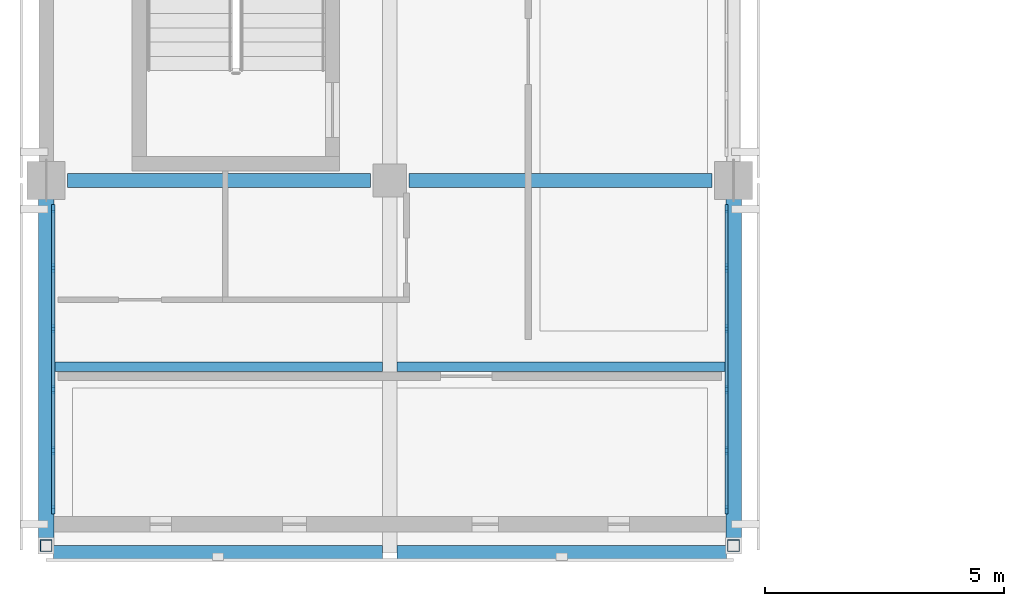
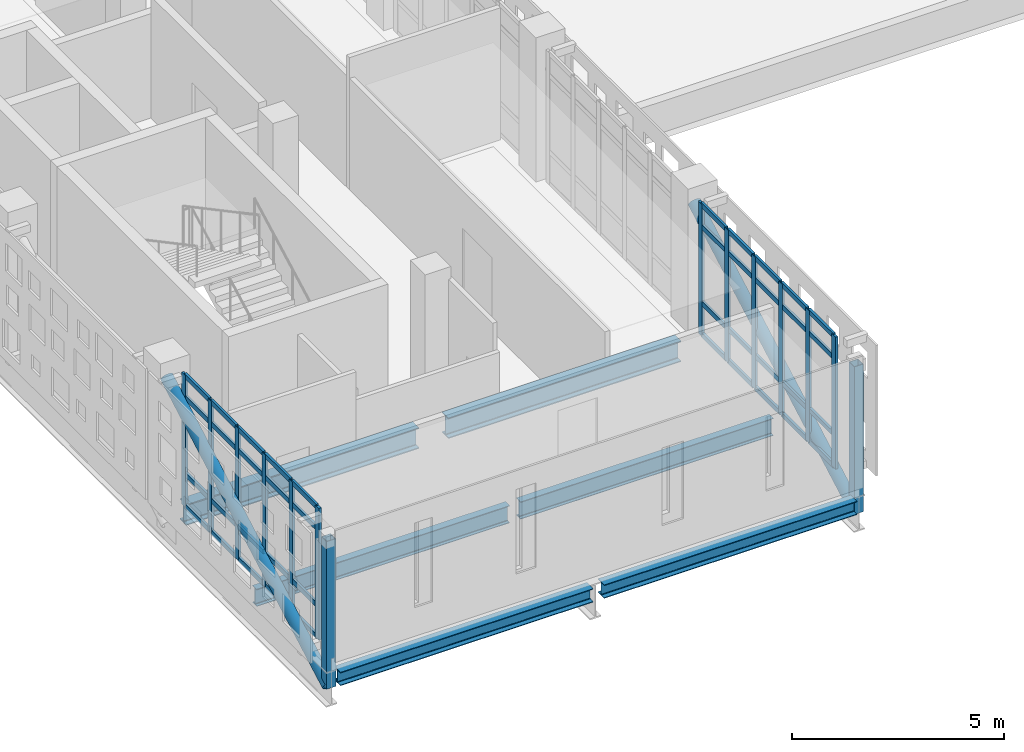
# One storey, part 2 of 51: 56 members, 6 beams, 2 elements without a shape of their own.
"""IFC4 building model written with IfcOpenShell, lengths in metres."""

from ifc_helpers import new_model, si_unit, direction, frame, origin, origin_2d, place, context, subcontext, project, spatial, rectangle, hollow_rectangle, hollow_circle, i_section, extrude, material, layer, layer_set, material_profile, profile_set, type_object, element, aggregate, save


model = new_model("IFC4")

# Units and contexts
model_context = context("Model", 3, precision=1e-05, world=origin(), true_north=direction((0.0, 1.0)))
body_context = subcontext(model_context, "Body", "Model", "MODEL_VIEW")
ifc_project = project(units=[si_unit("LENGTHUNIT", "METRE"), si_unit("AREAUNIT", "SQUARE_METRE"), si_unit("VOLUMEUNIT", "CUBIC_METRE"), si_unit("PLANEANGLEUNIT", "RADIAN"), si_unit("MASSUNIT", "GRAM", prefix="KILO")], contexts=[model_context])

# Site, building, storey
site_placement = place(None, origin())
site = spatial("IfcSite", under=ifc_project, at=site_placement, CompositionType="ELEMENT")
building_placement = place(site_placement, origin())
building = spatial("IfcBuilding", under=site, at=building_placement, Name="Valkovuoma Quantum and Materials Research Institute", CompositionType="ELEMENT")
storey_placement = place(building_placement, frame((0.0, 0.0, 17.280029296875)))
storey = spatial("IfcBuildingStorey", under=building, at=storey_placement, Name="L04", CompositionType="ELEMENT", Elevation=17.280029296875)

# Beams
ifc_material_1 = material(Name="Steel S355J2", Category="steel")
ifc_material_profile_1 = material_profile(ifc_material_1, i_section(OverallWidth=0.300048828125, OverallDepth=0.389892578125, WebThickness=0.010986328125, FlangeThickness=0.01904296875, FilletRadius=0.027099609375, at=origin_2d()), Name="Steel S355J2")
ifc_profile_set_1 = profile_set([ifc_material_profile_1], Name="Steel S355J2")
beam_type_1 = type_object("IfcBeamType", Name="Beam-B-HEA400", PredefinedType="SPANDREL", material=ifc_profile_set_1)
beam_1_placement = place(storey_placement, frame((0.14990234375, 21.0, -0.544921875), z_axis=(1.0, 0.0, 0.0), x_axis=(0.0, 1.0, 0.0)))
element("IfcBeam", 1, at=beam_1_placement, inside=storey, type_object=beam_type_1, Name="L04 cantilever tip beam 1", PredefinedType="SPANDREL", context=body_context, shape_type="SweptSolid", body=[
    extrude(i_section(OverallWidth=0.300048828125, OverallDepth=0.389892578125, WebThickness=0.010986328125, FlangeThickness=0.01904296875, FilletRadius=0.027099609375, at=origin_2d()), origin(), (0.0, 0.0, 1.0), 6.900146484375),
])
beam_2_placement = place(storey_placement, frame((7.35009765625, 21.0, -0.544921875), z_axis=(1.0, 0.0, 0.0), x_axis=(0.0, 1.0, 0.0)))
element("IfcBeam", 2, at=beam_2_placement, inside=storey, type_object=beam_type_1, Name="L04 cantilever tip beam 2", PredefinedType="SPANDREL", context=body_context, shape_type="SweptSolid", body=[
    extrude(i_section(OverallWidth=0.300048828125, OverallDepth=0.389892578125, WebThickness=0.010986328125, FlangeThickness=0.01904296875, FilletRadius=0.027099609375, at=origin_2d()), origin(), (0.0, 0.0, 1.0), 6.89990234375),
])
ifc_material_2 = material(Name="Steel S355J2", Category="steel")
ifc_material_profile_2 = material_profile(ifc_material_2, i_section(OverallWidth=0.300048828125, OverallDepth=0.60009765625, WebThickness=0.015380859375, FlangeThickness=0.030029296875, FilletRadius=0.027099609375, at=origin_2d()), Name="Steel S355J2")
ifc_profile_set_2 = profile_set([ifc_material_profile_2], Name="Steel S355J2")
beam_type_2 = type_object("IfcBeamType", Name="Beam-B-HEB600", PredefinedType="BEAM", material=ifc_profile_set_2)
beam_3_placement = place(storey_placement, frame((0.449951171875, 28.800048828125, -0.650146484375), z_axis=(1.0, 0.0, 0.0), x_axis=(0.0, 1.0, 0.0)))
element("IfcBeam", 3, at=beam_3_placement, inside=storey, type_object=beam_type_2, Name="L04 beam X-1814", PredefinedType="BEAM", context=body_context, shape_type="SweptSolid", body=[
    extrude(i_section(OverallWidth=0.300048828125, OverallDepth=0.60009765625, WebThickness=0.015380859375, FlangeThickness=0.030029296875, FilletRadius=0.027099609375, at=origin_2d()), origin(), (0.0, 0.0, 1.0), 6.35009765625),
])
beam_4_placement = place(storey_placement, frame((7.60009765625, 28.800048828125, -0.650146484375), z_axis=(1.0, 0.0, 0.0), x_axis=(0.0, 1.0, 0.0)))
element("IfcBeam", 4, at=beam_4_placement, inside=storey, type_object=beam_type_2, Name="L04 beam X-1815", PredefinedType="BEAM", context=body_context, shape_type="SweptSolid", body=[
    extrude(i_section(OverallWidth=0.300048828125, OverallDepth=0.60009765625, WebThickness=0.015380859375, FlangeThickness=0.030029296875, FilletRadius=0.027099609375, at=origin_2d()), origin(), (0.0, 0.0, 1.0), 6.349853515625),
])
ifc_material_3 = material(Name="Steel S355J2", Category="steel")
ifc_material_profile_3 = material_profile(ifc_material_3, i_section(OverallWidth=0.199951171875, OverallDepth=0.5, WebThickness=0.01025390625, FlangeThickness=0.01611328125, FilletRadius=0.02099609375, at=origin_2d()), Name="Steel S355J2")
ifc_profile_set_3 = profile_set([ifc_material_profile_3], Name="Steel S355J2")
beam_type_3 = type_object("IfcBeamType", Name="Beam-B-IPE500", PredefinedType="BEAM", material=ifc_profile_set_3)
beam_5_placement = place(storey_placement, frame((0.14990234375, 24.89990234375, -0.60009765625), z_axis=(1.0, 0.0, 0.0), x_axis=(0.0, 1.0, 0.0)))
element("IfcBeam", 5, at=beam_5_placement, inside=storey, type_object=beam_type_3, Name="L04 cantilever mid beam 1", PredefinedType="BEAM", context=body_context, shape_type="SweptSolid", body=[
    extrude(i_section(OverallWidth=0.199951171875, OverallDepth=0.5, WebThickness=0.01025390625, FlangeThickness=0.01611328125, FilletRadius=0.02099609375, at=origin_2d()), origin(), (0.0, 0.0, 1.0), 6.900146484375),
])
beam_6_placement = place(storey_placement, frame((7.35009765625, 24.89990234375, -0.60009765625), z_axis=(1.0, 0.0, 0.0), x_axis=(0.0, 1.0, 0.0)))
element("IfcBeam", 6, at=beam_6_placement, inside=storey, type_object=beam_type_3, Name="L04 cantilever mid beam 2", PredefinedType="BEAM", context=body_context, shape_type="SweptSolid", body=[
    extrude(i_section(OverallWidth=0.199951171875, OverallDepth=0.5, WebThickness=0.01025390625, FlangeThickness=0.01611328125, FilletRadius=0.02099609375, at=origin_2d()), origin(), (0.0, 0.0, 1.0), 6.89990234375),
])

# Curtain wall, members
ifc_material_4 = material(Name="Thermally broken aluminium and triple low-E glazing", Category="aluminium")
ifc_layer = layer(ifc_material_4, 0.219970703125)
ifc_layer_set = layer_set([ifc_layer], Name="Thermally broken aluminium and triple low-E glazing")
curtain_wall_type = type_object("IfcCurtainWallType", Name="CW-CW-01", PredefinedType="NOTDEFINED", material=ifc_layer_set)
curtain_wall_1_placement = place(storey_placement, origin())
curtain_wall_1 = element("IfcCurtainWall", 7, at=curtain_wall_1_placement, inside=storey, type_object=curtain_wall_type, Name="L04 curtain wall 038", PredefinedType="NOTDEFINED")
ifc_material_5 = material(Name="Anodised aluminium 6060-T66", Category="aluminium")
ifc_material_profile_4 = material_profile(ifc_material_5, rectangle(XDim=0.06494140625, YDim=0.179931640625, at=origin_2d()), Name="Anodised aluminium 6060-T66")
ifc_profile_set_4 = profile_set([ifc_material_profile_4], Name="Anodised aluminium 6060-T66")
member_type_1 = type_object("IfcMemberType", Name="CWMull-CWM-01", PredefinedType="MULLION", material=ifc_profile_set_4)
member_1_placement = place(storey_placement, frame((0.14990234375, 21.900390625, 0.0), z_axis=(0.0, 0.0, 1.0), x_axis=(-1.0, 0.0, 0.0)))
member_1 = element("IfcMember", 8, at=member_1_placement, type_object=member_type_1, Name="CW-01 mullion 1", PredefinedType="MULLION", context=body_context, shape_type="SweptSolid", body=[
    extrude(rectangle(XDim=0.06494140625, YDim=0.179931640625, at=origin_2d()), origin(), (0.0, 0.0, 1.0), 3.81005859375),
])
member_2_placement = place(storey_placement, frame((0.14990234375, 23.142822265625, 0.0), z_axis=(0.0, 0.0, 1.0), x_axis=(-1.0, 0.0, 0.0)))
member_2 = element("IfcMember", 9, at=member_2_placement, type_object=member_type_1, Name="CW-01 mullion 2", PredefinedType="MULLION", context=body_context, shape_type="SweptSolid", body=[
    extrude(rectangle(XDim=0.06494140625, YDim=0.179931640625, at=origin_2d()), origin(), (0.0, 0.0, 1.0), 3.81005859375),
])
member_3_placement = place(storey_placement, frame((0.14990234375, 24.41796875, 0.0), z_axis=(0.0, 0.0, 1.0), x_axis=(-1.0, 0.0, 0.0)))
member_3 = element("IfcMember", 10, at=member_3_placement, type_object=member_type_1, Name="CW-01 mullion 3", PredefinedType="MULLION", context=body_context, shape_type="SweptSolid", body=[
    extrude(rectangle(XDim=0.06494140625, YDim=0.179931640625, at=origin_2d()), origin(), (0.0, 0.0, 1.0), 3.81005859375),
])
member_4_placement = place(storey_placement, frame((0.14990234375, 25.69287109375, 0.0), z_axis=(0.0, 0.0, 1.0), x_axis=(-1.0, 0.0, 0.0)))
member_4 = element("IfcMember", 11, at=member_4_placement, type_object=member_type_1, Name="CW-01 mullion 4", PredefinedType="MULLION", context=body_context, shape_type="SweptSolid", body=[
    extrude(rectangle(XDim=0.06494140625, YDim=0.179931640625, at=origin_2d()), origin(), (0.0, 0.0, 1.0), 3.81005859375),
])
member_5_placement = place(storey_placement, frame((0.14990234375, 26.968017578125, 0.0), z_axis=(0.0, 0.0, 1.0), x_axis=(-1.0, 0.0, 0.0)))
member_5 = element("IfcMember", 12, at=member_5_placement, type_object=member_type_1, Name="CW-01 mullion 5", PredefinedType="MULLION", context=body_context, shape_type="SweptSolid", body=[
    extrude(rectangle(XDim=0.06494140625, YDim=0.179931640625, at=origin_2d()), origin(), (0.0, 0.0, 1.0), 3.81005859375),
])
member_6_placement = place(storey_placement, frame((0.14990234375, 28.21044921875, 0.0), z_axis=(0.0, 0.0, 1.0), x_axis=(-1.0, 0.0, 0.0)))
member_6 = element("IfcMember", 13, at=member_6_placement, type_object=member_type_1, Name="CW-01 mullion 6", PredefinedType="MULLION", context=body_context, shape_type="SweptSolid", body=[
    extrude(rectangle(XDim=0.06494140625, YDim=0.179931640625, at=origin_2d()), origin(), (0.0, 0.0, 1.0), 3.81005859375),
])

curtain_wall_2_placement = place(storey_placement, origin())
curtain_wall_2 = element("IfcCurtainWall", 14, at=curtain_wall_2_placement, inside=storey, type_object=curtain_wall_type, Name="L04 curtain wall 039", PredefinedType="NOTDEFINED")
member_7_placement = place(storey_placement, frame((14.25, 21.900390625, 0.0), z_axis=(0.0, 0.0, 1.0), x_axis=(-1.0, 0.0, 0.0)))
member_7 = element("IfcMember", 15, at=member_7_placement, type_object=member_type_1, Name="CW-01 mullion 1", PredefinedType="MULLION", context=body_context, shape_type="SweptSolid", body=[
    extrude(rectangle(XDim=0.06494140625, YDim=0.179931640625, at=origin_2d()), origin(), (0.0, 0.0, 1.0), 3.81005859375),
])
member_8_placement = place(storey_placement, frame((14.25, 23.142822265625, 0.0), z_axis=(0.0, 0.0, 1.0), x_axis=(-1.0, 0.0, 0.0)))
member_8 = element("IfcMember", 16, at=member_8_placement, type_object=member_type_1, Name="CW-01 mullion 2", PredefinedType="MULLION", context=body_context, shape_type="SweptSolid", body=[
    extrude(rectangle(XDim=0.06494140625, YDim=0.179931640625, at=origin_2d()), origin(), (0.0, 0.0, 1.0), 3.81005859375),
])
member_9_placement = place(storey_placement, frame((14.25, 24.41796875, 0.0), z_axis=(0.0, 0.0, 1.0), x_axis=(-1.0, 0.0, 0.0)))
member_9 = element("IfcMember", 17, at=member_9_placement, type_object=member_type_1, Name="CW-01 mullion 3", PredefinedType="MULLION", context=body_context, shape_type="SweptSolid", body=[
    extrude(rectangle(XDim=0.06494140625, YDim=0.179931640625, at=origin_2d()), origin(), (0.0, 0.0, 1.0), 3.81005859375),
])
member_10_placement = place(storey_placement, frame((14.25, 25.69287109375, 0.0), z_axis=(0.0, 0.0, 1.0), x_axis=(-1.0, 0.0, 0.0)))
member_10 = element("IfcMember", 18, at=member_10_placement, type_object=member_type_1, Name="CW-01 mullion 4", PredefinedType="MULLION", context=body_context, shape_type="SweptSolid", body=[
    extrude(rectangle(XDim=0.06494140625, YDim=0.179931640625, at=origin_2d()), origin(), (0.0, 0.0, 1.0), 3.81005859375),
])
member_11_placement = place(storey_placement, frame((14.25, 26.968017578125, 0.0), z_axis=(0.0, 0.0, 1.0), x_axis=(-1.0, 0.0, 0.0)))
member_11 = element("IfcMember", 19, at=member_11_placement, type_object=member_type_1, Name="CW-01 mullion 5", PredefinedType="MULLION", context=body_context, shape_type="SweptSolid", body=[
    extrude(rectangle(XDim=0.06494140625, YDim=0.179931640625, at=origin_2d()), origin(), (0.0, 0.0, 1.0), 3.81005859375),
])
member_12_placement = place(storey_placement, frame((14.25, 28.21044921875, 0.0), z_axis=(0.0, 0.0, 1.0), x_axis=(-1.0, 0.0, 0.0)))
member_12 = element("IfcMember", 20, at=member_12_placement, type_object=member_type_1, Name="CW-01 mullion 6", PredefinedType="MULLION", context=body_context, shape_type="SweptSolid", body=[
    extrude(rectangle(XDim=0.06494140625, YDim=0.179931640625, at=origin_2d()), origin(), (0.0, 0.0, 1.0), 3.81005859375),
])

# Member
ifc_material_6 = material(Name="Anodised aluminium 6060-T66", Category="aluminium")
ifc_material_profile_5 = material_profile(ifc_material_6, rectangle(XDim=0.06494140625, YDim=0.139892578125, at=origin_2d()), Name="Anodised aluminium 6060-T66")
ifc_profile_set_5 = profile_set([ifc_material_profile_5], Name="Anodised aluminium 6060-T66")
member_type_2 = type_object("IfcMemberType", Name="CWTran-CWT-01", PredefinedType="USERDEFINED", material=ifc_profile_set_5)
member_13_placement = place(storey_placement, frame((0.14990234375, 21.932861328125, 0.032470703125), z_axis=(0.0, 1.0, 0.0), x_axis=(-1.0, 0.0, 0.0)))
member_13 = element("IfcMember", 21, at=member_13_placement, type_object=member_type_2, Name="CW-01 transom 1.1", ObjectType="TRANSOM", PredefinedType="USERDEFINED", context=body_context, shape_type="SweptSolid", body=[
    extrude(rectangle(XDim=0.06494140625, YDim=0.139892578125, at=origin_2d()), origin(), (0.0, 0.0, 1.0), 1.177490234375),
])

member_14_placement = place(storey_placement, frame((0.14990234375, 21.932861328125, 0.949951171875), z_axis=(0.0, 1.0, 0.0), x_axis=(-1.0, 0.0, 0.0)))
member_14 = element("IfcMember", 22, at=member_14_placement, type_object=member_type_2, Name="CW-01 transom 1.2", ObjectType="TRANSOM", PredefinedType="USERDEFINED", context=body_context, shape_type="SweptSolid", body=[
    extrude(rectangle(XDim=0.06494140625, YDim=0.139892578125, at=origin_2d()), origin(), (0.0, 0.0, 1.0), 1.177490234375),
])

member_15_placement = place(storey_placement, frame((0.14990234375, 21.932861328125, 3.159912109375), z_axis=(0.0, 1.0, 0.0), x_axis=(-1.0, 0.0, 0.0)))
member_15 = element("IfcMember", 23, at=member_15_placement, type_object=member_type_2, Name="CW-01 transom 1.3", ObjectType="TRANSOM", PredefinedType="USERDEFINED", context=body_context, shape_type="SweptSolid", body=[
    extrude(rectangle(XDim=0.06494140625, YDim=0.139892578125, at=origin_2d()), origin(), (0.0, 0.0, 1.0), 1.177490234375),
])

member_16_placement = place(storey_placement, frame((0.14990234375, 21.932861328125, 3.777587890625), z_axis=(0.0, 1.0, 0.0), x_axis=(-1.0, 0.0, 0.0)))
member_16 = element("IfcMember", 24, at=member_16_placement, type_object=member_type_2, Name="CW-01 transom 1.4", ObjectType="TRANSOM", PredefinedType="USERDEFINED", context=body_context, shape_type="SweptSolid", body=[
    extrude(rectangle(XDim=0.06494140625, YDim=0.139892578125, at=origin_2d()), origin(), (0.0, 0.0, 1.0), 1.177490234375),
])

member_17_placement = place(storey_placement, frame((0.14990234375, 23.17529296875, 0.032470703125), z_axis=(0.0, 1.0, 0.0), x_axis=(-1.0, 0.0, 0.0)))
member_17 = element("IfcMember", 25, at=member_17_placement, type_object=member_type_2, Name="CW-01 transom 2.1", ObjectType="TRANSOM", PredefinedType="USERDEFINED", context=body_context, shape_type="SweptSolid", body=[
    extrude(rectangle(XDim=0.06494140625, YDim=0.139892578125, at=origin_2d()), origin(), (0.0, 0.0, 1.0), 1.210205078125),
])

member_18_placement = place(storey_placement, frame((0.14990234375, 23.17529296875, 0.949951171875), z_axis=(0.0, 1.0, 0.0), x_axis=(-1.0, 0.0, 0.0)))
member_18 = element("IfcMember", 26, at=member_18_placement, type_object=member_type_2, Name="CW-01 transom 2.2", ObjectType="TRANSOM", PredefinedType="USERDEFINED", context=body_context, shape_type="SweptSolid", body=[
    extrude(rectangle(XDim=0.06494140625, YDim=0.139892578125, at=origin_2d()), origin(), (0.0, 0.0, 1.0), 1.210205078125),
])

member_19_placement = place(storey_placement, frame((0.14990234375, 23.17529296875, 3.159912109375), z_axis=(0.0, 1.0, 0.0), x_axis=(-1.0, 0.0, 0.0)))
member_19 = element("IfcMember", 27, at=member_19_placement, type_object=member_type_2, Name="CW-01 transom 2.3", ObjectType="TRANSOM", PredefinedType="USERDEFINED", context=body_context, shape_type="SweptSolid", body=[
    extrude(rectangle(XDim=0.06494140625, YDim=0.139892578125, at=origin_2d()), origin(), (0.0, 0.0, 1.0), 1.210205078125),
])

member_20_placement = place(storey_placement, frame((0.14990234375, 23.17529296875, 3.777587890625), z_axis=(0.0, 1.0, 0.0), x_axis=(-1.0, 0.0, 0.0)))
member_20 = element("IfcMember", 28, at=member_20_placement, type_object=member_type_2, Name="CW-01 transom 2.4", ObjectType="TRANSOM", PredefinedType="USERDEFINED", context=body_context, shape_type="SweptSolid", body=[
    extrude(rectangle(XDim=0.06494140625, YDim=0.139892578125, at=origin_2d()), origin(), (0.0, 0.0, 1.0), 1.210205078125),
])

member_21_placement = place(storey_placement, frame((0.14990234375, 24.450439453125, 0.032470703125), z_axis=(0.0, 1.0, 0.0), x_axis=(-1.0, 0.0, 0.0)))
member_21 = element("IfcMember", 29, at=member_21_placement, type_object=member_type_2, Name="CW-01 transom 3.1", ObjectType="TRANSOM", PredefinedType="USERDEFINED", context=body_context, shape_type="SweptSolid", body=[
    extrude(rectangle(XDim=0.06494140625, YDim=0.139892578125, at=origin_2d()), origin(), (0.0, 0.0, 1.0), 1.2099609375),
])

member_22_placement = place(storey_placement, frame((0.14990234375, 24.450439453125, 0.949951171875), z_axis=(0.0, 1.0, 0.0), x_axis=(-1.0, 0.0, 0.0)))
member_22 = element("IfcMember", 30, at=member_22_placement, type_object=member_type_2, Name="CW-01 transom 3.2", ObjectType="TRANSOM", PredefinedType="USERDEFINED", context=body_context, shape_type="SweptSolid", body=[
    extrude(rectangle(XDim=0.06494140625, YDim=0.139892578125, at=origin_2d()), origin(), (0.0, 0.0, 1.0), 1.2099609375),
])

member_23_placement = place(storey_placement, frame((0.14990234375, 24.450439453125, 3.159912109375), z_axis=(0.0, 1.0, 0.0), x_axis=(-1.0, 0.0, 0.0)))
member_23 = element("IfcMember", 31, at=member_23_placement, type_object=member_type_2, Name="CW-01 transom 3.3", ObjectType="TRANSOM", PredefinedType="USERDEFINED", context=body_context, shape_type="SweptSolid", body=[
    extrude(rectangle(XDim=0.06494140625, YDim=0.139892578125, at=origin_2d()), origin(), (0.0, 0.0, 1.0), 1.2099609375),
])

member_24_placement = place(storey_placement, frame((0.14990234375, 24.450439453125, 3.777587890625), z_axis=(0.0, 1.0, 0.0), x_axis=(-1.0, 0.0, 0.0)))
member_24 = element("IfcMember", 32, at=member_24_placement, type_object=member_type_2, Name="CW-01 transom 3.4", ObjectType="TRANSOM", PredefinedType="USERDEFINED", context=body_context, shape_type="SweptSolid", body=[
    extrude(rectangle(XDim=0.06494140625, YDim=0.139892578125, at=origin_2d()), origin(), (0.0, 0.0, 1.0), 1.2099609375),
])

member_25_placement = place(storey_placement, frame((0.14990234375, 25.725341796875, 0.032470703125), z_axis=(0.0, 1.0, 0.0), x_axis=(-1.0, 0.0, 0.0)))
member_25 = element("IfcMember", 33, at=member_25_placement, type_object=member_type_2, Name="CW-01 transom 4.1", ObjectType="TRANSOM", PredefinedType="USERDEFINED", context=body_context, shape_type="SweptSolid", body=[
    extrude(rectangle(XDim=0.06494140625, YDim=0.139892578125, at=origin_2d()), origin(), (0.0, 0.0, 1.0), 1.2099609375),
])

member_26_placement = place(storey_placement, frame((0.14990234375, 25.725341796875, 0.949951171875), z_axis=(0.0, 1.0, 0.0), x_axis=(-1.0, 0.0, 0.0)))
member_26 = element("IfcMember", 34, at=member_26_placement, type_object=member_type_2, Name="CW-01 transom 4.2", ObjectType="TRANSOM", PredefinedType="USERDEFINED", context=body_context, shape_type="SweptSolid", body=[
    extrude(rectangle(XDim=0.06494140625, YDim=0.139892578125, at=origin_2d()), origin(), (0.0, 0.0, 1.0), 1.2099609375),
])

member_27_placement = place(storey_placement, frame((0.14990234375, 25.725341796875, 3.159912109375), z_axis=(0.0, 1.0, 0.0), x_axis=(-1.0, 0.0, 0.0)))
member_27 = element("IfcMember", 35, at=member_27_placement, type_object=member_type_2, Name="CW-01 transom 4.3", ObjectType="TRANSOM", PredefinedType="USERDEFINED", context=body_context, shape_type="SweptSolid", body=[
    extrude(rectangle(XDim=0.06494140625, YDim=0.139892578125, at=origin_2d()), origin(), (0.0, 0.0, 1.0), 1.2099609375),
])

member_28_placement = place(storey_placement, frame((0.14990234375, 25.725341796875, 3.777587890625), z_axis=(0.0, 1.0, 0.0), x_axis=(-1.0, 0.0, 0.0)))
member_28 = element("IfcMember", 36, at=member_28_placement, type_object=member_type_2, Name="CW-01 transom 4.4", ObjectType="TRANSOM", PredefinedType="USERDEFINED", context=body_context, shape_type="SweptSolid", body=[
    extrude(rectangle(XDim=0.06494140625, YDim=0.139892578125, at=origin_2d()), origin(), (0.0, 0.0, 1.0), 1.2099609375),
])

member_29_placement = place(storey_placement, frame((0.14990234375, 27.00048828125, 0.032470703125), z_axis=(0.0, 1.0, 0.0), x_axis=(-1.0, 0.0, 0.0)))
member_29 = element("IfcMember", 37, at=member_29_placement, type_object=member_type_2, Name="CW-01 transom 5.1", ObjectType="TRANSOM", PredefinedType="USERDEFINED", context=body_context, shape_type="SweptSolid", body=[
    extrude(rectangle(XDim=0.06494140625, YDim=0.139892578125, at=origin_2d()), origin(), (0.0, 0.0, 1.0), 1.177490234375),
])

member_30_placement = place(storey_placement, frame((0.14990234375, 27.00048828125, 0.949951171875), z_axis=(0.0, 1.0, 0.0), x_axis=(-1.0, 0.0, 0.0)))
member_30 = element("IfcMember", 38, at=member_30_placement, type_object=member_type_2, Name="CW-01 transom 5.2", ObjectType="TRANSOM", PredefinedType="USERDEFINED", context=body_context, shape_type="SweptSolid", body=[
    extrude(rectangle(XDim=0.06494140625, YDim=0.139892578125, at=origin_2d()), origin(), (0.0, 0.0, 1.0), 1.177490234375),
])

member_31_placement = place(storey_placement, frame((0.14990234375, 27.00048828125, 3.159912109375), z_axis=(0.0, 1.0, 0.0), x_axis=(-1.0, 0.0, 0.0)))
member_31 = element("IfcMember", 39, at=member_31_placement, type_object=member_type_2, Name="CW-01 transom 5.3", ObjectType="TRANSOM", PredefinedType="USERDEFINED", context=body_context, shape_type="SweptSolid", body=[
    extrude(rectangle(XDim=0.06494140625, YDim=0.139892578125, at=origin_2d()), origin(), (0.0, 0.0, 1.0), 1.177490234375),
])

member_32_placement = place(storey_placement, frame((0.14990234375, 27.00048828125, 3.777587890625), z_axis=(0.0, 1.0, 0.0), x_axis=(-1.0, 0.0, 0.0)))
member_32 = element("IfcMember", 40, at=member_32_placement, type_object=member_type_2, Name="CW-01 transom 5.4", ObjectType="TRANSOM", PredefinedType="USERDEFINED", context=body_context, shape_type="SweptSolid", body=[
    extrude(rectangle(XDim=0.06494140625, YDim=0.139892578125, at=origin_2d()), origin(), (0.0, 0.0, 1.0), 1.177490234375),
])

aggregate(curtain_wall_1, [member_1, member_2, member_3, member_4, member_5, member_6, member_13, member_14, member_15, member_16, member_17, member_18, member_19, member_20, member_21, member_22, member_23, member_24, member_25, member_26, member_27, member_28, member_29, member_30, member_31, member_32])

member_33_placement = place(storey_placement, frame((14.25, 21.932861328125, 0.032470703125), z_axis=(0.0, 1.0, 0.0), x_axis=(-1.0, 0.0, 0.0)))
member_33 = element("IfcMember", 41, at=member_33_placement, type_object=member_type_2, Name="CW-01 transom 1.1", ObjectType="TRANSOM", PredefinedType="USERDEFINED", context=body_context, shape_type="SweptSolid", body=[
    extrude(rectangle(XDim=0.06494140625, YDim=0.139892578125, at=origin_2d()), origin(), (0.0, 0.0, 1.0), 1.177490234375),
])

member_34_placement = place(storey_placement, frame((14.25, 21.932861328125, 0.949951171875), z_axis=(0.0, 1.0, 0.0), x_axis=(-1.0, 0.0, 0.0)))
member_34 = element("IfcMember", 42, at=member_34_placement, type_object=member_type_2, Name="CW-01 transom 1.2", ObjectType="TRANSOM", PredefinedType="USERDEFINED", context=body_context, shape_type="SweptSolid", body=[
    extrude(rectangle(XDim=0.06494140625, YDim=0.139892578125, at=origin_2d()), origin(), (0.0, 0.0, 1.0), 1.177490234375),
])

member_35_placement = place(storey_placement, frame((14.25, 21.932861328125, 3.159912109375), z_axis=(0.0, 1.0, 0.0), x_axis=(-1.0, 0.0, 0.0)))
member_35 = element("IfcMember", 43, at=member_35_placement, type_object=member_type_2, Name="CW-01 transom 1.3", ObjectType="TRANSOM", PredefinedType="USERDEFINED", context=body_context, shape_type="SweptSolid", body=[
    extrude(rectangle(XDim=0.06494140625, YDim=0.139892578125, at=origin_2d()), origin(), (0.0, 0.0, 1.0), 1.177490234375),
])

member_36_placement = place(storey_placement, frame((14.25, 21.932861328125, 3.777587890625), z_axis=(0.0, 1.0, 0.0), x_axis=(-1.0, 0.0, 0.0)))
member_36 = element("IfcMember", 44, at=member_36_placement, type_object=member_type_2, Name="CW-01 transom 1.4", ObjectType="TRANSOM", PredefinedType="USERDEFINED", context=body_context, shape_type="SweptSolid", body=[
    extrude(rectangle(XDim=0.06494140625, YDim=0.139892578125, at=origin_2d()), origin(), (0.0, 0.0, 1.0), 1.177490234375),
])

member_37_placement = place(storey_placement, frame((14.25, 23.17529296875, 0.032470703125), z_axis=(0.0, 1.0, 0.0), x_axis=(-1.0, 0.0, 0.0)))
member_37 = element("IfcMember", 45, at=member_37_placement, type_object=member_type_2, Name="CW-01 transom 2.1", ObjectType="TRANSOM", PredefinedType="USERDEFINED", context=body_context, shape_type="SweptSolid", body=[
    extrude(rectangle(XDim=0.06494140625, YDim=0.139892578125, at=origin_2d()), origin(), (0.0, 0.0, 1.0), 1.210205078125),
])

member_38_placement = place(storey_placement, frame((14.25, 23.17529296875, 0.949951171875), z_axis=(0.0, 1.0, 0.0), x_axis=(-1.0, 0.0, 0.0)))
member_38 = element("IfcMember", 46, at=member_38_placement, type_object=member_type_2, Name="CW-01 transom 2.2", ObjectType="TRANSOM", PredefinedType="USERDEFINED", context=body_context, shape_type="SweptSolid", body=[
    extrude(rectangle(XDim=0.06494140625, YDim=0.139892578125, at=origin_2d()), origin(), (0.0, 0.0, 1.0), 1.210205078125),
])

member_39_placement = place(storey_placement, frame((14.25, 23.17529296875, 3.159912109375), z_axis=(0.0, 1.0, 0.0), x_axis=(-1.0, 0.0, 0.0)))
member_39 = element("IfcMember", 47, at=member_39_placement, type_object=member_type_2, Name="CW-01 transom 2.3", ObjectType="TRANSOM", PredefinedType="USERDEFINED", context=body_context, shape_type="SweptSolid", body=[
    extrude(rectangle(XDim=0.06494140625, YDim=0.139892578125, at=origin_2d()), origin(), (0.0, 0.0, 1.0), 1.210205078125),
])

member_40_placement = place(storey_placement, frame((14.25, 23.17529296875, 3.777587890625), z_axis=(0.0, 1.0, 0.0), x_axis=(-1.0, 0.0, 0.0)))
member_40 = element("IfcMember", 48, at=member_40_placement, type_object=member_type_2, Name="CW-01 transom 2.4", ObjectType="TRANSOM", PredefinedType="USERDEFINED", context=body_context, shape_type="SweptSolid", body=[
    extrude(rectangle(XDim=0.06494140625, YDim=0.139892578125, at=origin_2d()), origin(), (0.0, 0.0, 1.0), 1.210205078125),
])

member_41_placement = place(storey_placement, frame((14.25, 24.450439453125, 0.032470703125), z_axis=(0.0, 1.0, 0.0), x_axis=(-1.0, 0.0, 0.0)))
member_41 = element("IfcMember", 49, at=member_41_placement, type_object=member_type_2, Name="CW-01 transom 3.1", ObjectType="TRANSOM", PredefinedType="USERDEFINED", context=body_context, shape_type="SweptSolid", body=[
    extrude(rectangle(XDim=0.06494140625, YDim=0.139892578125, at=origin_2d()), origin(), (0.0, 0.0, 1.0), 1.2099609375),
])

member_42_placement = place(storey_placement, frame((14.25, 24.450439453125, 0.949951171875), z_axis=(0.0, 1.0, 0.0), x_axis=(-1.0, 0.0, 0.0)))
member_42 = element("IfcMember", 50, at=member_42_placement, type_object=member_type_2, Name="CW-01 transom 3.2", ObjectType="TRANSOM", PredefinedType="USERDEFINED", context=body_context, shape_type="SweptSolid", body=[
    extrude(rectangle(XDim=0.06494140625, YDim=0.139892578125, at=origin_2d()), origin(), (0.0, 0.0, 1.0), 1.2099609375),
])

member_43_placement = place(storey_placement, frame((14.25, 24.450439453125, 3.159912109375), z_axis=(0.0, 1.0, 0.0), x_axis=(-1.0, 0.0, 0.0)))
member_43 = element("IfcMember", 51, at=member_43_placement, type_object=member_type_2, Name="CW-01 transom 3.3", ObjectType="TRANSOM", PredefinedType="USERDEFINED", context=body_context, shape_type="SweptSolid", body=[
    extrude(rectangle(XDim=0.06494140625, YDim=0.139892578125, at=origin_2d()), origin(), (0.0, 0.0, 1.0), 1.2099609375),
])

member_44_placement = place(storey_placement, frame((14.25, 24.450439453125, 3.777587890625), z_axis=(0.0, 1.0, 0.0), x_axis=(-1.0, 0.0, 0.0)))
member_44 = element("IfcMember", 52, at=member_44_placement, type_object=member_type_2, Name="CW-01 transom 3.4", ObjectType="TRANSOM", PredefinedType="USERDEFINED", context=body_context, shape_type="SweptSolid", body=[
    extrude(rectangle(XDim=0.06494140625, YDim=0.139892578125, at=origin_2d()), origin(), (0.0, 0.0, 1.0), 1.2099609375),
])

member_45_placement = place(storey_placement, frame((14.25, 25.725341796875, 0.032470703125), z_axis=(0.0, 1.0, 0.0), x_axis=(-1.0, 0.0, 0.0)))
member_45 = element("IfcMember", 53, at=member_45_placement, type_object=member_type_2, Name="CW-01 transom 4.1", ObjectType="TRANSOM", PredefinedType="USERDEFINED", context=body_context, shape_type="SweptSolid", body=[
    extrude(rectangle(XDim=0.06494140625, YDim=0.139892578125, at=origin_2d()), origin(), (0.0, 0.0, 1.0), 1.2099609375),
])

member_46_placement = place(storey_placement, frame((14.25, 25.725341796875, 0.949951171875), z_axis=(0.0, 1.0, 0.0), x_axis=(-1.0, 0.0, 0.0)))
member_46 = element("IfcMember", 54, at=member_46_placement, type_object=member_type_2, Name="CW-01 transom 4.2", ObjectType="TRANSOM", PredefinedType="USERDEFINED", context=body_context, shape_type="SweptSolid", body=[
    extrude(rectangle(XDim=0.06494140625, YDim=0.139892578125, at=origin_2d()), origin(), (0.0, 0.0, 1.0), 1.2099609375),
])

member_47_placement = place(storey_placement, frame((14.25, 25.725341796875, 3.159912109375), z_axis=(0.0, 1.0, 0.0), x_axis=(-1.0, 0.0, 0.0)))
member_47 = element("IfcMember", 55, at=member_47_placement, type_object=member_type_2, Name="CW-01 transom 4.3", ObjectType="TRANSOM", PredefinedType="USERDEFINED", context=body_context, shape_type="SweptSolid", body=[
    extrude(rectangle(XDim=0.06494140625, YDim=0.139892578125, at=origin_2d()), origin(), (0.0, 0.0, 1.0), 1.2099609375),
])

member_48_placement = place(storey_placement, frame((14.25, 25.725341796875, 3.777587890625), z_axis=(0.0, 1.0, 0.0), x_axis=(-1.0, 0.0, 0.0)))
member_48 = element("IfcMember", 56, at=member_48_placement, type_object=member_type_2, Name="CW-01 transom 4.4", ObjectType="TRANSOM", PredefinedType="USERDEFINED", context=body_context, shape_type="SweptSolid", body=[
    extrude(rectangle(XDim=0.06494140625, YDim=0.139892578125, at=origin_2d()), origin(), (0.0, 0.0, 1.0), 1.2099609375),
])

member_49_placement = place(storey_placement, frame((14.25, 27.00048828125, 0.032470703125), z_axis=(0.0, 1.0, 0.0), x_axis=(-1.0, 0.0, 0.0)))
member_49 = element("IfcMember", 57, at=member_49_placement, type_object=member_type_2, Name="CW-01 transom 5.1", ObjectType="TRANSOM", PredefinedType="USERDEFINED", context=body_context, shape_type="SweptSolid", body=[
    extrude(rectangle(XDim=0.06494140625, YDim=0.139892578125, at=origin_2d()), origin(), (0.0, 0.0, 1.0), 1.177490234375),
])

member_50_placement = place(storey_placement, frame((14.25, 27.00048828125, 0.949951171875), z_axis=(0.0, 1.0, 0.0), x_axis=(-1.0, 0.0, 0.0)))
member_50 = element("IfcMember", 58, at=member_50_placement, type_object=member_type_2, Name="CW-01 transom 5.2", ObjectType="TRANSOM", PredefinedType="USERDEFINED", context=body_context, shape_type="SweptSolid", body=[
    extrude(rectangle(XDim=0.06494140625, YDim=0.139892578125, at=origin_2d()), origin(), (0.0, 0.0, 1.0), 1.177490234375),
])

member_51_placement = place(storey_placement, frame((14.25, 27.00048828125, 3.159912109375), z_axis=(0.0, 1.0, 0.0), x_axis=(-1.0, 0.0, 0.0)))
member_51 = element("IfcMember", 59, at=member_51_placement, type_object=member_type_2, Name="CW-01 transom 5.3", ObjectType="TRANSOM", PredefinedType="USERDEFINED", context=body_context, shape_type="SweptSolid", body=[
    extrude(rectangle(XDim=0.06494140625, YDim=0.139892578125, at=origin_2d()), origin(), (0.0, 0.0, 1.0), 1.177490234375),
])

member_52_placement = place(storey_placement, frame((14.25, 27.00048828125, 3.777587890625), z_axis=(0.0, 1.0, 0.0), x_axis=(-1.0, 0.0, 0.0)))
member_52 = element("IfcMember", 60, at=member_52_placement, type_object=member_type_2, Name="CW-01 transom 5.4", ObjectType="TRANSOM", PredefinedType="USERDEFINED", context=body_context, shape_type="SweptSolid", body=[
    extrude(rectangle(XDim=0.06494140625, YDim=0.139892578125, at=origin_2d()), origin(), (0.0, 0.0, 1.0), 1.177490234375),
])

aggregate(curtain_wall_2, [member_7, member_8, member_9, member_10, member_11, member_12, member_33, member_34, member_35, member_36, member_37, member_38, member_39, member_40, member_41, member_42, member_43, member_44, member_45, member_46, member_47, member_48, member_49, member_50, member_51, member_52])

# Members
ifc_material_7 = material(Name="Steel S355J2H", Category="steel")
ifc_material_profile_6 = material_profile(ifc_material_7, hollow_circle(Radius=0.161865234375, WallThickness=0.01611328125, at=origin_2d()), Name="Steel S355J2H")
ifc_profile_set_6 = profile_set([ifc_material_profile_6], Name="Steel S355J2H")
member_type_3 = type_object("IfcMemberType", Name="Mem-M-BRC324", PredefinedType="BRACE", material=ifc_profile_set_6)
for number, where, z_axis, x_axis, name in (
    (61, (0.0, 21.14990234375, -0.85009765625), (0.0, 0.873675491515, 0.486509132007), (-1.0, 0.0, 0.0), "L04 cantilever overhang diagonal 0"),
    (62, (14.39990234375, 21.14990234375, -0.85009765625), (0.0, 0.873675491515, 0.486509132007), (-1.0, 0.0, 0.0), "L04 cantilever overhang diagonal 1"),
):
    element("IfcMember", number, at=place(storey_placement, frame(where, z_axis=z_axis, x_axis=x_axis)), inside=storey, type_object=member_type_3, Name=name, PredefinedType="BRACE", context=body_context, shape_type="SweptSolid", body=[
        extrude(hollow_circle(Radius=0.161865234375, WallThickness=0.01611328125, at=origin_2d()), origin(), (0.0, 0.0, 1.0), 8.75634765625),
    ])
ifc_material_8 = material(Name="Steel S355J2H", Category="steel")
ifc_material_profile_7 = material_profile(ifc_material_8, hollow_rectangle(XDim=0.25, YDim=0.25, WallThickness=0.012451171875, at=origin_2d()), Name="Steel S355J2H")
ifc_profile_set_7 = profile_set([ifc_material_profile_7], Name="Steel S355J2H")
member_type_4 = type_object("IfcMemberType", Name="Mem-M-STR250", PredefinedType="STRUT", material=ifc_profile_set_7)
for number, where, z_axis, x_axis, name in (
    (63, (0.0, 21.14990234375, -0.85009765625), (0.0, 0.0, 1.0), (1.0, 0.0, 0.0), "L04 cantilever tip strut 0"),
    (64, (14.39990234375, 21.14990234375, -0.85009765625), (0.0, 0.0, 1.0), (1.0, 0.0, 0.0), "L04 cantilever tip strut 1"),
):
    element("IfcMember", number, at=place(storey_placement, frame(where, z_axis=z_axis, x_axis=x_axis)), inside=storey, type_object=member_type_4, Name=name, PredefinedType="STRUT", context=body_context, shape_type="SweptSolid", body=[
        extrude(hollow_rectangle(XDim=0.25, YDim=0.25, WallThickness=0.012451171875, at=origin_2d()), origin(), (0.0, 0.0, 1.0), 4.260009765625),
    ])

save(model, "model.ifc")
